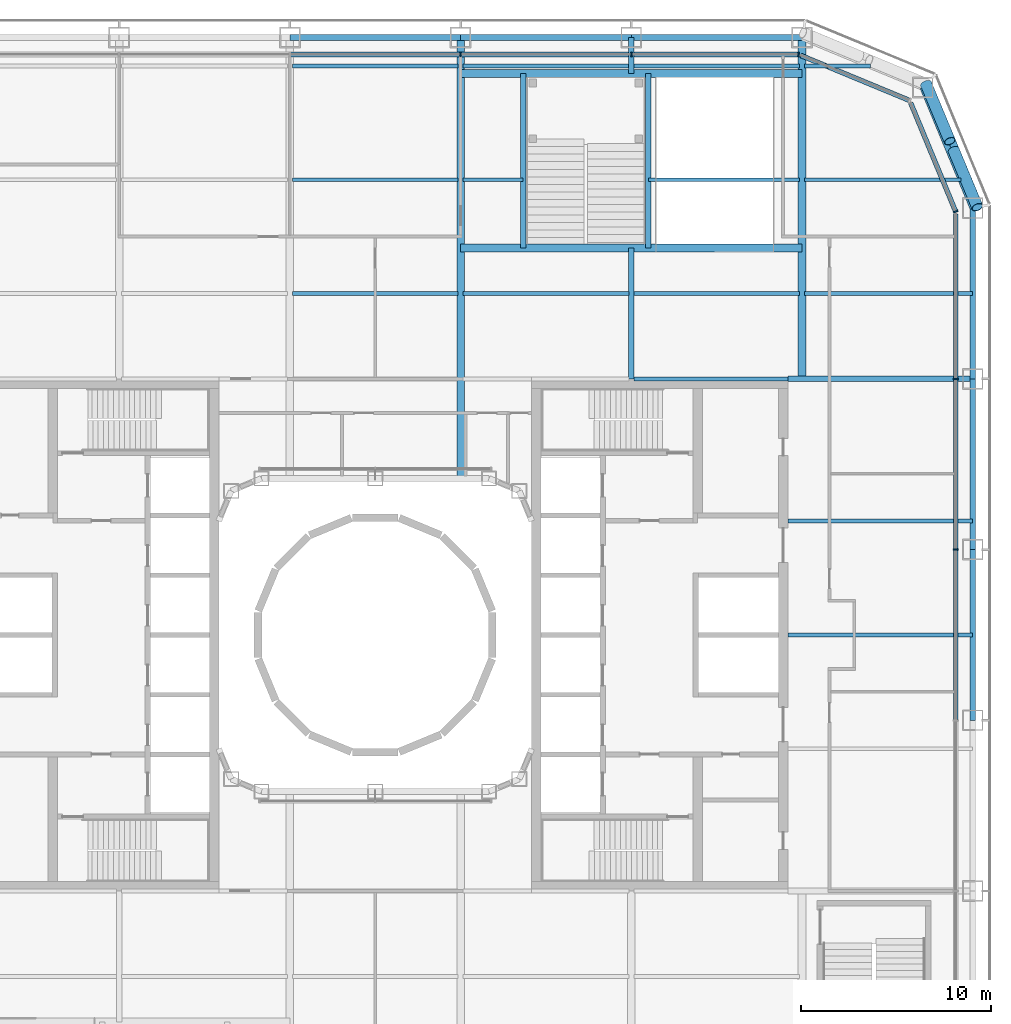
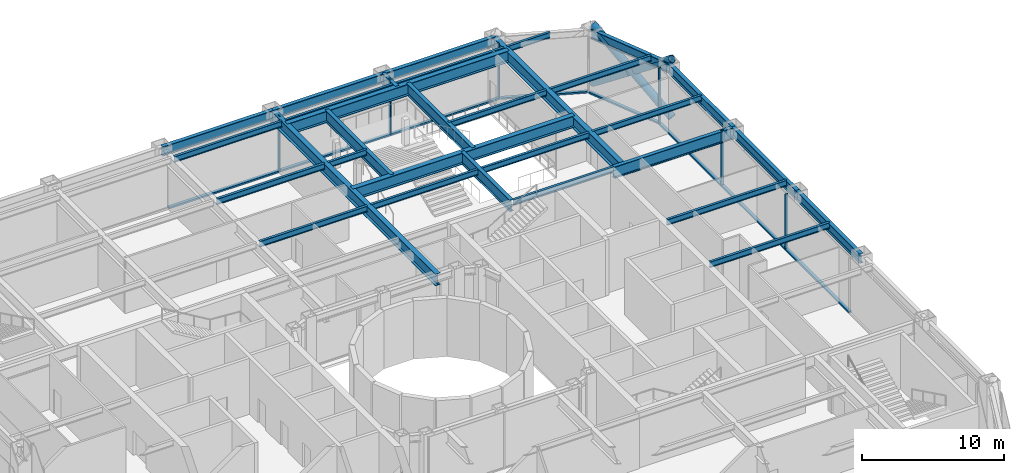
# One storey, part 9 of 25: 31 beams, 17 members, 4 elements without a shape of their own.
"""IFC4 building model written with IfcOpenShell, lengths in metres."""

from ifc_helpers import new_model, si_unit, direction, frame, origin, origin_2d, place, context, subcontext, project, spatial, rectangle, hollow_circle, i_section, extrude, material, layer, layer_set, material_profile, profile_set, type_object, element, aggregate, save


model = new_model("IFC4")

# Units and contexts
model_context = context("Model", 3, precision=1e-05, world=origin(), true_north=direction((0.0, 1.0)))
body_context = subcontext(model_context, "Body", "Model", "MODEL_VIEW")
ifc_project = project(units=[si_unit("LENGTHUNIT", "METRE"), si_unit("AREAUNIT", "SQUARE_METRE"), si_unit("VOLUMEUNIT", "CUBIC_METRE"), si_unit("PLANEANGLEUNIT", "RADIAN"), si_unit("MASSUNIT", "GRAM", prefix="KILO")], contexts=[model_context])

# Site, building, storey
site_placement = place(None, origin())
site = spatial("IfcSite", under=ifc_project, at=site_placement, CompositionType="ELEMENT")
building_placement = place(site_placement, origin())
building = spatial("IfcBuilding", under=site, at=building_placement, Name="Siwar Civic Tower", CompositionType="ELEMENT")
storey_placement = place(building_placement, frame((0.0, 0.0, 7.199951171875)))
storey = spatial("IfcBuildingStorey", under=building, at=storey_placement, Name="L01", CompositionType="ELEMENT", Elevation=7.199951171875)

# Curtain wall, members
ifc_material_1 = material(Name="Aluminium and glass", Category="aluminium")
ifc_layer_1 = layer(ifc_material_1, 0.25)
ifc_layer_set_1 = layer_set([ifc_layer_1], Name="Aluminium and glass")
curtain_wall_type_1 = type_object("IfcCurtainWallType", Name="ENV-CW-H", PredefinedType="NOTDEFINED", material=ifc_layer_set_1)
curtain_wall_1_placement = place(storey_placement, origin())
curtain_wall_1 = element("IfcCurtainWall", 1, at=curtain_wall_1_placement, inside=storey, type_object=curtain_wall_type_1, Name="Curtain wall H E", PredefinedType="NOTDEFINED")
ifc_material_2 = material(Name="Aluminium 6063-T6", Category="aluminium")
ifc_material_profile_1 = material_profile(ifc_material_2, rectangle(XDim=0.25, YDim=0.080078125, at=origin_2d()), Name="AL 250x80")
ifc_profile_set_1 = profile_set([ifc_material_profile_1], Name="Aluminium 6063-T6")
member_type_1 = type_object("IfcMemberType", Name="ENV-MULLION-H", PredefinedType="MULLION", material=ifc_profile_set_1)
member_1_placement = place(storey_placement, frame((30.60009765625, 4.5, 0.0), z_axis=(0.0, 0.0, 1.0), x_axis=(-1.0, 0.0, 0.0)))
member_1 = element("IfcMember", 2, at=member_1_placement, type_object=member_type_1, Name="Mullion H E 4", PredefinedType="MULLION", context=body_context, shape_type="SweptSolid", body=[
    extrude(rectangle(XDim=0.25, YDim=0.080078125, at=origin_2d()), origin(), (0.0, 0.0, 1.0), 4.800048828125),
])
member_2_placement = place(storey_placement, frame((30.60009765625, 13.5, 0.0), z_axis=(0.0, 0.0, 1.0), x_axis=(-1.0, 0.0, 0.0)))
member_2 = element("IfcMember", 3, at=member_2_placement, type_object=member_type_1, Name="Mullion H E 5", PredefinedType="MULLION", context=body_context, shape_type="SweptSolid", body=[
    extrude(rectangle(XDim=0.25, YDim=0.080078125, at=origin_2d()), origin(), (0.0, 0.0, 1.0), 4.800048828125),
])

# Curtain wall, member
ifc_material_3 = material(Name="Aluminium clad insulated panel", Category="aluminium")
ifc_layer_2 = layer(ifc_material_3, 0.25)
ifc_layer_set_2 = layer_set([ifc_layer_2], Name="Aluminium clad insulated panel")
curtain_wall_type_2 = type_object("IfcCurtainWallType", Name="ENV-CW-HX", PredefinedType="NOTDEFINED", material=ifc_layer_set_2)
curtain_wall_2_placement = place(storey_placement, origin())
curtain_wall_2 = element("IfcCurtainWall", 4, at=curtain_wall_2_placement, inside=storey, type_object=curtain_wall_type_2, Name="Curtain wall H NE1", PredefinedType="NOTDEFINED")
member_3_placement = place(storey_placement, frame((30.60009765625, 22.321044921875, 0.0), z_axis=(0.0, 0.0, 1.0), x_axis=(-0.923879532511, -0.382683432365, 0.0)))
member_3 = element("IfcMember", 5, at=member_3_placement, type_object=member_type_1, Name="Mullion H NE1 1", PredefinedType="MULLION", context=body_context, shape_type="SweptSolid", body=[
    extrude(rectangle(XDim=0.25, YDim=0.080078125, at=origin_2d()), origin(), (0.0, 0.0, 1.0), 4.800048828125),
])

# Curtain wall, members
curtain_wall_3_placement = place(storey_placement, origin())
curtain_wall_3 = element("IfcCurtainWall", 6, at=curtain_wall_3_placement, inside=storey, type_object=curtain_wall_type_1, Name="Curtain wall H N", PredefinedType="NOTDEFINED")
member_4_placement = place(storey_placement, frame((22.321044921875, 30.60009765625, 0.0), z_axis=(0.0, 0.0, 1.0), x_axis=(0.0, -1.0, 0.0)))
member_4 = element("IfcMember", 7, at=member_4_placement, type_object=member_type_1, Name="Mullion H N 1", PredefinedType="MULLION", context=body_context, shape_type="SweptSolid", body=[
    extrude(rectangle(XDim=0.25, YDim=0.080078125, at=origin_2d()), origin(), (0.0, 0.0, 1.0), 4.800048828125),
])
member_5_placement = place(storey_placement, frame((13.5, 30.60009765625, 0.0), z_axis=(0.0, 0.0, 1.0), x_axis=(0.0, -1.0, 0.0)))
member_5 = element("IfcMember", 8, at=member_5_placement, type_object=member_type_1, Name="Mullion H N 2", PredefinedType="MULLION", context=body_context, shape_type="SweptSolid", body=[
    extrude(rectangle(XDim=0.25, YDim=0.080078125, at=origin_2d()), origin(), (0.0, 0.0, 1.0), 4.800048828125),
])
member_6_placement = place(storey_placement, frame((4.5, 30.60009765625, 0.0), z_axis=(0.0, 0.0, 1.0), x_axis=(0.0, -1.0, 0.0)))
member_6 = element("IfcMember", 9, at=member_6_placement, type_object=member_type_1, Name="Mullion H N 3", PredefinedType="MULLION", context=body_context, shape_type="SweptSolid", body=[
    extrude(rectangle(XDim=0.25, YDim=0.080078125, at=origin_2d()), origin(), (0.0, 0.0, 1.0), 4.800048828125),
])

# Member
ifc_material_4 = material(Name="Aluminium 6063-T6", Category="aluminium")
ifc_material_profile_2 = material_profile(ifc_material_4, rectangle(XDim=0.25, YDim=0.139892578125, at=origin_2d()), Name="AL 250x140")
ifc_profile_set_2 = profile_set([ifc_material_profile_2], Name="Aluminium 6063-T6")
member_type_2 = type_object("IfcMemberType", Name="ENV-TRANSOM-H", PredefinedType="USERDEFINED", material=ifc_profile_set_2)
member_7_placement = place(storey_placement, frame((30.60009765625, -4.4599609375, 0.070068359375), z_axis=(0.0, 1.0, 0.0), x_axis=(-1.0, 0.0, 0.0)))
member_7 = element("IfcMember", 10, at=member_7_placement, type_object=member_type_2, Name="Transom H E 3", ObjectType="TRANSOM", PredefinedType="USERDEFINED", context=body_context, shape_type="SweptSolid", body=[
    extrude(rectangle(XDim=0.25, YDim=0.139892578125, at=origin_2d()), origin(), (0.0, 0.0, 1.0), 8.919921875),
])

member_8_placement = place(storey_placement, frame((30.60009765625, 4.5400390625, 0.070068359375), z_axis=(0.0, 1.0, 0.0), x_axis=(-1.0, 0.0, 0.0)))
member_8 = element("IfcMember", 11, at=member_8_placement, type_object=member_type_2, Name="Transom H E 4", ObjectType="TRANSOM", PredefinedType="USERDEFINED", context=body_context, shape_type="SweptSolid", body=[
    extrude(rectangle(XDim=0.25, YDim=0.139892578125, at=origin_2d()), origin(), (0.0, 0.0, 1.0), 8.919921875),
])

member_9_placement = place(storey_placement, frame((30.60009765625, 13.5400390625, 0.070068359375), z_axis=(0.0, 1.0, 0.0), x_axis=(-1.0, 0.0, 0.0)))
member_9 = element("IfcMember", 12, at=member_9_placement, type_object=member_type_2, Name="Transom H E 5", ObjectType="TRANSOM", PredefinedType="USERDEFINED", context=body_context, shape_type="SweptSolid", body=[
    extrude(rectangle(XDim=0.25, YDim=0.139892578125, at=origin_2d()), origin(), (0.0, 0.0, 1.0), 8.644287109375),
])

aggregate(curtain_wall_1, [member_1, member_2, member_7, member_8, member_9])

member_10_placement = place(storey_placement, frame((30.584716796875, 22.35791015625, 0.070068359375), z_axis=(-0.382672669604, 0.92388399052, 0.0), x_axis=(-0.92388399052, -0.382672669604, 0.0)))
member_10 = element("IfcMember", 13, at=member_10_placement, type_object=member_type_2, Name="Transom H NE1 1", ObjectType="TRANSOM", PredefinedType="USERDEFINED", context=body_context, shape_type="SweptSolid", body=[
    extrude(rectangle(XDim=0.25, YDim=0.139892578125, at=origin_2d()), origin(), (0.0, 0.0, 1.0), 6.15966796875),
])

aggregate(curtain_wall_2, [member_3, member_10])

# Curtain wall, member
curtain_wall_4_placement = place(storey_placement, origin())
curtain_wall_4 = element("IfcCurtainWall", 14, at=curtain_wall_4_placement, inside=storey, type_object=curtain_wall_type_2, Name="Curtain wall H NE2", PredefinedType="NOTDEFINED")
member_11_placement = place(storey_placement, frame((28.13818359375, 28.1904296875, 0.070068359375), z_axis=(-0.92388399052, 0.382672669604, 0.0), x_axis=(-0.382672669604, -0.92388399052, 0.0)))
member_11 = element("IfcMember", 15, at=member_11_placement, type_object=member_type_2, Name="Transom H NE2 1", ObjectType="TRANSOM", PredefinedType="USERDEFINED", context=body_context, shape_type="SweptSolid", body=[
    extrude(rectangle(XDim=0.25, YDim=0.139892578125, at=origin_2d()), origin(), (0.0, 0.0, 1.0), 6.15966796875),
])
aggregate(curtain_wall_4, [member_11])

# Member
member_12_placement = place(storey_placement, frame((22.281005859375, 30.60009765625, 0.070068359375), z_axis=(-1.0, 0.0, 0.0), x_axis=(0.0, -1.0, 0.0)))
member_12 = element("IfcMember", 16, at=member_12_placement, type_object=member_type_2, Name="Transom H N 1", ObjectType="TRANSOM", PredefinedType="USERDEFINED", context=body_context, shape_type="SweptSolid", body=[
    extrude(rectangle(XDim=0.25, YDim=0.139892578125, at=origin_2d()), origin(), (0.0, 0.0, 1.0), 8.740966796875),
])

member_13_placement = place(storey_placement, frame((13.4599609375, 30.60009765625, 0.070068359375), z_axis=(-1.0, 0.0, 0.0), x_axis=(0.0, -1.0, 0.0)))
member_13 = element("IfcMember", 17, at=member_13_placement, type_object=member_type_2, Name="Transom H N 2", ObjectType="TRANSOM", PredefinedType="USERDEFINED", context=body_context, shape_type="SweptSolid", body=[
    extrude(rectangle(XDim=0.25, YDim=0.139892578125, at=origin_2d()), origin(), (0.0, 0.0, 1.0), 8.919921875),
])

member_14_placement = place(storey_placement, frame((4.4599609375, 30.60009765625, 0.070068359375), z_axis=(-1.0, 0.0, 0.0), x_axis=(0.0, -1.0, 0.0)))
member_14 = element("IfcMember", 18, at=member_14_placement, type_object=member_type_2, Name="Transom H N 3", ObjectType="TRANSOM", PredefinedType="USERDEFINED", context=body_context, shape_type="SweptSolid", body=[
    extrude(rectangle(XDim=0.25, YDim=0.139892578125, at=origin_2d()), origin(), (0.0, 0.0, 1.0), 8.919921875),
])

aggregate(curtain_wall_3, [member_4, member_5, member_6, member_12, member_13, member_14])

# Members
ifc_material_5 = material(Name="Steel S355", Category="steel")
ifc_material_profile_3 = material_profile(ifc_material_5, hollow_circle(Radius=0.304931640625, WallThickness=0.030029296875, at=origin_2d()), Name="CHS610x30")
ifc_profile_set_3 = profile_set([ifc_material_profile_3], Name="Steel S355")
member_type_3 = type_object("IfcMemberType", Name="STR-BR-CHS610x30", PredefinedType="BRACE", material=ifc_profile_set_3)
member_15_placement = place(storey_placement, frame((31.7451171875, 22.548828125, 0.0), z_axis=(-0.313403721941, 0.752344350468, 0.579444635312), x_axis=(-0.923108759191, -0.384538969033, 0.0)))
element("IfcMember", 19, at=member_15_placement, inside=storey, type_object=member_type_3, Name="L01/brc/ANE1-0-0-0", PredefinedType="BRACE", context=body_context, shape_type="SweptSolid", body=[
    extrude(hollow_circle(Radius=0.304931640625, WallThickness=0.030029296875, at=origin_2d()), origin(), (0.0, 0.0, 1.0), 8.62890625),
])
for number, where, z_axis, x_axis, name in (
    (20, (29.040771484375, 29.040771484375, 0.0), (0.313373422739, -0.752340560323, 0.5794659431), (0.923121267833, 0.384508939914, 0.0), "L01/brc/ANE1-0-0-4"),
    (21, (30.49267578125, 25.5556640625, 2.684326171875), (0.313384515382, -0.752367191316, 0.57942536616), (0.923121267833, 0.384508939914, 0.0), "L01/brc/ANE1-0-0-5"),
):
    element("IfcMember", number, at=place(storey_placement, frame(where, z_axis=z_axis, x_axis=x_axis)), inside=storey, type_object=member_type_3, Name=name, PredefinedType="BRACE", context=body_context, shape_type="SweptSolid", body=[
        extrude(hollow_circle(Radius=0.304931640625, WallThickness=0.030029296875, at=origin_2d()), origin(), (0.0, 0.0, 1.0), 3.99658203125),
    ])

# Beams
ifc_material_6 = material(Name="Steel S355", Category="steel")
ifc_material_profile_4 = material_profile(ifc_material_6, i_section(OverallWidth=0.199951171875, OverallDepth=0.5, WebThickness=0.01025390625, FlangeThickness=0.01611328125, FilletRadius=0.02099609375, at=origin_2d()), Name="IPE500")
ifc_profile_set_4 = profile_set([ifc_material_profile_4], Name="Steel S355")
beam_type_1 = type_object("IfcBeamType", Name="STR-FB-IPE500", PredefinedType="JOIST", material=ifc_profile_set_4)
for number, where, z_axis, x_axis, name in (
    (22, (21.75, 0.0, 4.550048828125), (1.0, 0.0, 0.0), (0.0, 1.0, 0.0), "L01/bm/F032"),
    (23, (21.75, 6.0, 4.550048828125), (1.0, 0.0, 0.0), (0.0, 1.0, 0.0), "L01/bm/F034"),
):
    element("IfcBeam", number, at=place(storey_placement, frame(where, z_axis=z_axis, x_axis=x_axis)), inside=storey, type_object=beam_type_1, Name=name, PredefinedType="JOIST", context=body_context, shape_type="SweptSolid", body=[
        extrude(i_section(OverallWidth=0.199951171875, OverallDepth=0.5, WebThickness=0.01025390625, FlangeThickness=0.01611328125, FilletRadius=0.02099609375, at=origin_2d()), origin(), (0.0, 0.0, 1.0), 9.75),
    ])
beam_1_placement = place(storey_placement, frame((13.6298828125, 13.5, 4.550048828125), z_axis=(1.0, 0.0, 0.0), x_axis=(0.0, 1.0, 0.0)))
element("IfcBeam", 24, at=beam_1_placement, inside=storey, type_object=beam_type_1, Name="L01/bm/F042", PredefinedType="JOIST", context=body_context, shape_type="SweptSolid", body=[
    extrude(i_section(OverallWidth=0.199951171875, OverallDepth=0.5, WebThickness=0.01025390625, FlangeThickness=0.01611328125, FilletRadius=0.02099609375, at=origin_2d()), origin(), (0.0, 0.0, 1.0), 8.1201171875),
])
for number, where, z_axis, x_axis, name in (
    (25, (-4.3701171875, 18.0, 4.550048828125), (1.0, 0.0, 0.0), (0.0, 1.0, 0.0), "L01/bm/F046"),
    (26, (4.6298828125, 18.0, 4.550048828125), (1.0, 0.0, 0.0), (0.0, 1.0, 0.0), "L01/bm/F047"),
    (27, (13.6298828125, 18.0, 4.550048828125), (1.0, 0.0, 0.0), (0.0, 1.0, 0.0), "L01/bm/F048"),
):
    element("IfcBeam", number, at=place(storey_placement, frame(where, z_axis=z_axis, x_axis=x_axis)), inside=storey, type_object=beam_type_1, Name=name, PredefinedType="JOIST", context=body_context, shape_type="SweptSolid", body=[
        extrude(i_section(OverallWidth=0.199951171875, OverallDepth=0.5, WebThickness=0.01025390625, FlangeThickness=0.01611328125, FilletRadius=0.02099609375, at=origin_2d()), origin(), (0.0, 0.0, 1.0), 8.740234375),
    ])
beam_2_placement = place(storey_placement, frame((22.6298828125, 18.0, 4.550048828125), z_axis=(1.0, 0.0, 0.0), x_axis=(0.0, 1.0, 0.0)))
element("IfcBeam", 28, at=beam_2_placement, inside=storey, type_object=beam_type_1, Name="L01/bm/F049", PredefinedType="JOIST", context=body_context, shape_type="SweptSolid", body=[
    extrude(i_section(OverallWidth=0.199951171875, OverallDepth=0.5, WebThickness=0.01025390625, FlangeThickness=0.01611328125, FilletRadius=0.02099609375, at=origin_2d()), origin(), (0.0, 0.0, 1.0), 8.8701171875),
])
beam_3_placement = place(storey_placement, frame((-4.3701171875, 24.0, 4.550048828125), z_axis=(1.0, 0.0, 0.0), x_axis=(0.0, 1.0, 0.0)))
element("IfcBeam", 29, at=beam_3_placement, inside=storey, type_object=beam_type_1, Name="L01/bm/F052", PredefinedType="JOIST", context=body_context, shape_type="SweptSolid", body=[
    extrude(i_section(OverallWidth=0.199951171875, OverallDepth=0.5, WebThickness=0.01025390625, FlangeThickness=0.01611328125, FilletRadius=0.02099609375, at=origin_2d()), origin(), (0.0, 0.0, 1.0), 8.740234375),
])
beam_4_placement = place(storey_placement, frame((4.6298828125, 24.0, 4.550048828125), z_axis=(1.0, 0.0, 0.0), x_axis=(0.0, 1.0, 0.0)))
element("IfcBeam", 30, at=beam_4_placement, inside=storey, type_object=beam_type_1, Name="L01/bm/F053", PredefinedType="JOIST", context=body_context, shape_type="SweptSolid", body=[
    extrude(i_section(OverallWidth=0.199951171875, OverallDepth=0.5, WebThickness=0.01025390625, FlangeThickness=0.01611328125, FilletRadius=0.02099609375, at=origin_2d()), origin(), (0.0, 0.0, 1.0), 3.170166015625),
])
beam_5_placement = place(storey_placement, frame((14.39990234375, 24.0, 4.550048828125), z_axis=(1.0, 0.0, 0.0), x_axis=(0.0, 1.0, 0.0)))
element("IfcBeam", 31, at=beam_5_placement, inside=storey, type_object=beam_type_1, Name="L01/bm/F054", PredefinedType="JOIST", context=body_context, shape_type="SweptSolid", body=[
    extrude(i_section(OverallWidth=0.199951171875, OverallDepth=0.5, WebThickness=0.01025390625, FlangeThickness=0.01611328125, FilletRadius=0.02099609375, at=origin_2d()), origin(), (0.0, 0.0, 1.0), 7.97021484375),
])
beam_6_placement = place(storey_placement, frame((22.6298828125, 24.0, 4.550048828125), z_axis=(1.0, 0.0, 0.0), x_axis=(0.0, 1.0, 0.0)))
element("IfcBeam", 32, at=beam_6_placement, inside=storey, type_object=beam_type_1, Name="L01/bm/F055", PredefinedType="JOIST", context=body_context, shape_type="SweptSolid", body=[
    extrude(i_section(OverallWidth=0.199951171875, OverallDepth=0.5, WebThickness=0.01025390625, FlangeThickness=0.01611328125, FilletRadius=0.02099609375, at=origin_2d()), origin(), (0.0, 0.0, 1.0), 8.248779296875),
])
for number, where, z_axis, x_axis, name in (
    (33, (-4.3701171875, 30.0, 4.550048828125), (1.0, 0.0, 0.0), (0.0, 1.0, 0.0), "L01/bm/F059"),
    (34, (4.6298828125, 30.0, 4.550048828125), (1.0, 0.0, 0.0), (0.0, 1.0, 0.0), "L01/bm/F060"),
    (35, (13.6298828125, 30.0, 4.550048828125), (1.0, 0.0, 0.0), (0.0, 1.0, 0.0), "L01/bm/F061"),
):
    element("IfcBeam", number, at=place(storey_placement, frame(where, z_axis=z_axis, x_axis=x_axis)), inside=storey, type_object=beam_type_1, Name=name, PredefinedType="JOIST", context=body_context, shape_type="SweptSolid", body=[
        extrude(i_section(OverallWidth=0.199951171875, OverallDepth=0.5, WebThickness=0.01025390625, FlangeThickness=0.01611328125, FilletRadius=0.02099609375, at=origin_2d()), origin(), (0.0, 0.0, 1.0), 8.740234375),
    ])
beam_7_placement = place(storey_placement, frame((22.6298828125, 30.0, 4.550048828125), z_axis=(1.0, 0.0, 0.0), x_axis=(0.0, 1.0, 0.0)))
element("IfcBeam", 36, at=beam_7_placement, inside=storey, type_object=beam_type_1, Name="L01/bm/F062", PredefinedType="JOIST", context=body_context, shape_type="SweptSolid", body=[
    extrude(i_section(OverallWidth=0.199951171875, OverallDepth=0.5, WebThickness=0.01025390625, FlangeThickness=0.01611328125, FilletRadius=0.02099609375, at=origin_2d()), origin(), (0.0, 0.0, 1.0), 3.491455078125),
])
ifc_material_7 = material(Name="Steel S355", Category="steel")
ifc_material_profile_5 = material_profile(ifc_material_7, i_section(OverallWidth=0.300048828125, OverallDepth=1.0, WebThickness=0.01904296875, FlangeThickness=0.035888671875, FilletRadius=0.030029296875, at=origin_2d()), Name="HEB1000")
ifc_profile_set_5 = profile_set([ifc_material_profile_5], Name="Steel S355")
beam_type_2 = type_object("IfcBeamType", Name="STR-PG-HEB1000", PredefinedType="BEAM", material=ifc_profile_set_5)
beam_8_placement = place(storey_placement, frame((13.5, 13.5, 4.300048828125), z_axis=(0.0, 1.0, 0.0), x_axis=(-1.0, 0.0, 0.0)))
element("IfcBeam", 37, at=beam_8_placement, inside=storey, type_object=beam_type_2, Name="L01/bm/G11", PredefinedType="BEAM", context=body_context, shape_type="SweptSolid", body=[
    extrude(i_section(OverallWidth=0.300048828125, OverallDepth=1.0, WebThickness=0.01904296875, FlangeThickness=0.035888671875, FilletRadius=0.030029296875, at=origin_2d()), origin(), (0.0, 0.0, 1.0), 6.89990234375),
])
beam_9_placement = place(storey_placement, frame((13.5, 29.60009765625, 4.300048828125), z_axis=(0.0, 1.0, 0.0), x_axis=(-1.0, 0.0, 0.0)))
element("IfcBeam", 38, at=beam_9_placement, inside=storey, type_object=beam_type_2, Name="L01/bm/G12", PredefinedType="BEAM", context=body_context, shape_type="SweptSolid", body=[
    extrude(i_section(OverallWidth=0.300048828125, OverallDepth=1.0, WebThickness=0.01904296875, FlangeThickness=0.035888671875, FilletRadius=0.030029296875, at=origin_2d()), origin(), (0.0, 0.0, 1.0), 1.89990234375),
])
for number, where, z_axis, x_axis, name in (
    (39, (7.800048828125, 20.39990234375, 4.300048828125), (0.0, 1.0, 0.0), (-1.0, 0.0, 0.0), "L01/bm/T07"),
    (40, (14.39990234375, 20.39990234375, 4.300048828125), (0.0, 1.0, 0.0), (-1.0, 0.0, 0.0), "L01/bm/T08"),
):
    element("IfcBeam", number, at=place(storey_placement, frame(where, z_axis=z_axis, x_axis=x_axis)), inside=storey, type_object=beam_type_2, Name=name, PredefinedType="BEAM", context=body_context, shape_type="SweptSolid", body=[
        extrude(i_section(OverallWidth=0.300048828125, OverallDepth=1.0, WebThickness=0.01904296875, FlangeThickness=0.035888671875, FilletRadius=0.030029296875, at=origin_2d()), origin(), (0.0, 0.0, 1.0), 9.2001953125),
    ])
beam_10_placement = place(storey_placement, frame((21.75, 13.5, 4.300048828125), z_axis=(1.0, 0.0, 0.0), x_axis=(0.0, 1.0, 0.0)))
element("IfcBeam", 41, at=beam_10_placement, inside=storey, type_object=beam_type_2, Name="L01/bm/F043", PredefinedType="BEAM", context=body_context, shape_type="SweptSolid", body=[
    extrude(i_section(OverallWidth=0.300048828125, OverallDepth=1.0, WebThickness=0.01904296875, FlangeThickness=0.035888671875, FilletRadius=0.030029296875, at=origin_2d()), origin(), (0.0, 0.0, 1.0), 9.75),
])
ifc_material_8 = material(Name="Steel S355", Category="steel")
ifc_material_profile_6 = material_profile(ifc_material_8, i_section(OverallWidth=0.39990234375, OverallDepth=1.0, WebThickness=0.01611328125, FlangeThickness=0.0400390625, at=origin_2d()), Name="PG1000x400x16x40")
ifc_profile_set_6 = profile_set([ifc_material_profile_6], Name="Steel S355")
beam_type_3 = type_object("IfcBeamType", Name="STR-PG-PG1000x400x16x40", PredefinedType="BEAM", material=ifc_profile_set_6)
beam_11_placement = place(storey_placement, frame((4.5, 8.25, 4.300048828125), z_axis=(0.0, 1.0, 0.0), x_axis=(-1.0, 0.0, 0.0)))
element("IfcBeam", 42, at=beam_11_placement, inside=storey, type_object=beam_type_3, Name="L01/bm/G09", PredefinedType="BEAM", context=body_context, shape_type="SweptSolid", body=[
    extrude(i_section(OverallWidth=0.39990234375, OverallDepth=1.0, WebThickness=0.01611328125, FlangeThickness=0.0400390625, at=origin_2d()), origin(), (0.0, 0.0, 1.0), 23.25),
])
for number, where, z_axis, x_axis, name in (
    (43, (22.5, 13.5, 4.300048828125), (0.0, 1.0, 0.0), (-1.0, 0.0, 0.0), "L01/bm/G14"),
    (44, (4.5, 20.39990234375, 4.300048828125), (1.0, 0.0, 0.0), (0.0, 1.0, 0.0), "L01/bm/T05"),
    (45, (4.5, 29.60009765625, 4.300048828125), (1.0, 0.0, 0.0), (0.0, 1.0, 0.0), "L01/bm/T06"),
):
    element("IfcBeam", number, at=place(storey_placement, frame(where, z_axis=z_axis, x_axis=x_axis)), inside=storey, type_object=beam_type_3, Name=name, PredefinedType="BEAM", context=body_context, shape_type="SweptSolid", body=[
        extrude(i_section(OverallWidth=0.39990234375, OverallDepth=1.0, WebThickness=0.01611328125, FlangeThickness=0.0400390625, at=origin_2d()), origin(), (0.0, 0.0, 1.0), 18.0),
    ])
ifc_material_9 = material(Name="Steel S355", Category="steel")
ifc_material_profile_7 = material_profile(ifc_material_9, i_section(OverallWidth=0.302978515625, OverallDepth=0.81396484375, WebThickness=0.02099609375, FlangeThickness=0.0400390625, FilletRadius=0.030029296875, at=origin_2d()), Name="HEM800")
ifc_profile_set_7 = profile_set([ifc_material_profile_7], Name="Steel S355")
beam_type_4 = type_object("IfcBeamType", Name="STR-SB-HEM800", PredefinedType="BEAM", material=ifc_profile_set_7)
for number, where, z_axis, x_axis, name in (
    (46, (31.5, -4.5, 4.39306640625), (0.0, 1.0, 0.0), (-1.0, 0.0, 0.0), "L01/bm/SE-2"),
    (47, (31.5, 4.5, 4.39306640625), (0.0, 1.0, 0.0), (-1.0, 0.0, 0.0), "L01/bm/SE-3"),
    (48, (31.5, 13.5, 4.39306640625), (0.0, 1.0, 0.0), (-1.0, 0.0, 0.0), "L01/bm/SE-4"),
):
    element("IfcBeam", number, at=place(storey_placement, frame(where, z_axis=z_axis, x_axis=x_axis)), inside=storey, type_object=beam_type_4, Name=name, PredefinedType="BEAM", context=body_context, shape_type="SweptSolid", body=[
        extrude(i_section(OverallWidth=0.302978515625, OverallDepth=0.81396484375, WebThickness=0.02099609375, FlangeThickness=0.0400390625, FilletRadius=0.030029296875, at=origin_2d()), origin(), (0.0, 0.0, 1.0), 9.0),
    ])
beam_12_placement = place(storey_placement, frame((31.5, 22.5, 4.39306640625), z_axis=(-0.382674207535, 0.923883353507, 0.0), x_axis=(-0.923883353507, -0.382674207535, 0.0)))
element("IfcBeam", 49, at=beam_12_placement, inside=storey, type_object=beam_type_4, Name="L01/bm/SNE1-0", PredefinedType="BEAM", context=body_context, shape_type="SweptSolid", body=[
    extrude(i_section(OverallWidth=0.302978515625, OverallDepth=0.81396484375, WebThickness=0.02099609375, FlangeThickness=0.0400390625, FilletRadius=0.030029296875, at=origin_2d()), origin(), (0.0, 0.0, 1.0), 6.888427734375),
])
for number, where, z_axis, x_axis, name in (
    (50, (22.5, 31.5, 4.39306640625), (-1.0, 0.0, 0.0), (0.0, -1.0, 0.0), "L01/bm/SN-0"),
    (51, (13.5, 31.5, 4.39306640625), (-1.0, 0.0, 0.0), (0.0, -1.0, 0.0), "L01/bm/SN-1"),
    (52, (4.5, 31.5, 4.39306640625), (-1.0, 0.0, 0.0), (0.0, -1.0, 0.0), "L01/bm/SN-2"),
):
    element("IfcBeam", number, at=place(storey_placement, frame(where, z_axis=z_axis, x_axis=x_axis)), inside=storey, type_object=beam_type_4, Name=name, PredefinedType="BEAM", context=body_context, shape_type="SweptSolid", body=[
        extrude(i_section(OverallWidth=0.302978515625, OverallDepth=0.81396484375, WebThickness=0.02099609375, FlangeThickness=0.0400390625, FilletRadius=0.030029296875, at=origin_2d()), origin(), (0.0, 0.0, 1.0), 9.0),
    ])

save(model, "model.ifc")
